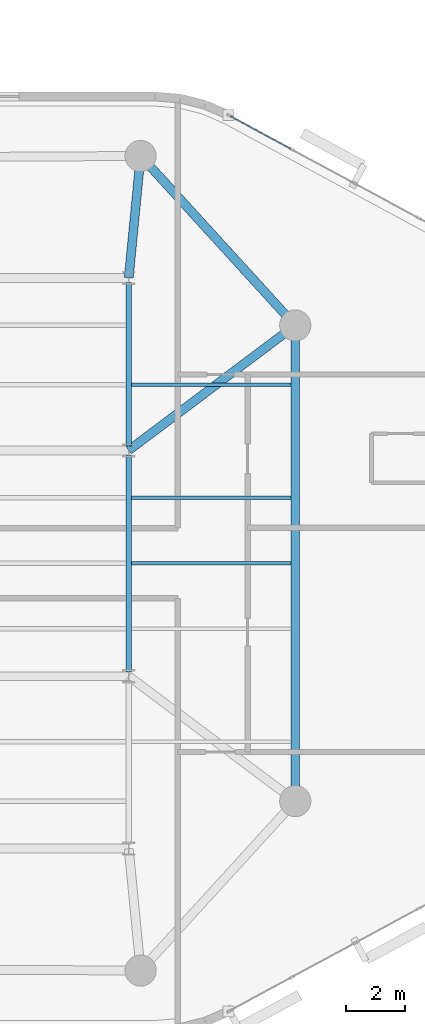
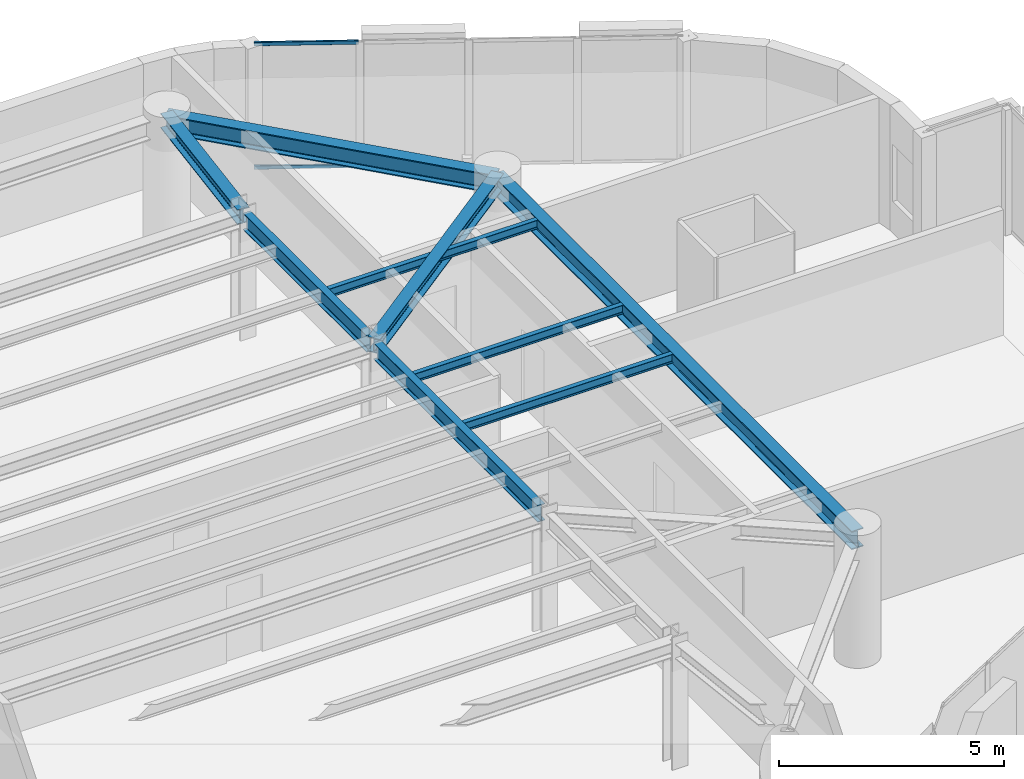
# One storey, part 5 of 14: 9 beams, 2 members, 1 element without a shape of its own.
"""IFC4 building model written with IfcOpenShell, lengths in metres."""

from ifc_helpers import new_model, si_unit, direction, frame, origin, origin_2d, place, context, subcontext, project, spatial, hollow_rectangle, i_section, extrude, material, layer, layer_set, material_profile, profile_set, type_object, element, aggregate, save


model = new_model("IFC4")

# Units and contexts
model_context = context("Model", 3, precision=1e-05, world=origin(), true_north=direction((0.0, 1.0)))
body_context = subcontext(model_context, "Body", "Model", "MODEL_VIEW")
ifc_project = project(units=[si_unit("LENGTHUNIT", "METRE"), si_unit("AREAUNIT", "SQUARE_METRE"), si_unit("VOLUMEUNIT", "CUBIC_METRE"), si_unit("PLANEANGLEUNIT", "RADIAN"), si_unit("MASSUNIT", "GRAM", prefix="KILO")], contexts=[model_context])

# Site, building, storey
site_placement = place(None, origin())
site = spatial("IfcSite", under=ifc_project, at=site_placement, CompositionType="ELEMENT")
building_placement = place(site_placement, origin())
building = spatial("IfcBuilding", under=site, at=building_placement, Name="An Khanh Terracotta Commons", CompositionType="ELEMENT")
storey_placement = place(building_placement, frame((0.0, 0.0, 230.10009765625)))
storey = spatial("IfcBuildingStorey", under=building, at=storey_placement, Name="L60", CompositionType="ELEMENT", Elevation=230.10009765625)

# Beams
ifc_material_1 = material(Name="Steel S355J2", Category="steel")
ifc_material_profile_1 = material_profile(ifc_material_1, i_section(OverallWidth=0.300048828125, OverallDepth=0.39990234375, WebThickness=0.013427734375, FlangeThickness=0.02392578125, FilletRadius=0.027099609375, at=origin_2d()), Name="HEB400")
ifc_profile_set_1 = profile_set([ifc_material_profile_1], Name="Steel S355J2")
beam_type_1 = type_object("IfcBeamType", Name="BM-HEB400", PredefinedType="BEAM", material=ifc_profile_set_1)
beam_1_placement = place(storey_placement, frame((59.60009765625, 32.0, 3.199951171875), z_axis=(-0.800008370399, -0.599988839305, 0.0), x_axis=(0.599988839305, -0.800008370399, 0.0)))
element("IfcBeam", 1, at=beam_1_placement, inside=storey, type_object=beam_type_1, Name="L60 Mega-Column Tie Girder 4", PredefinedType="BEAM", context=body_context, shape_type="SweptSolid", body=[
    extrude(i_section(OverallWidth=0.300048828125, OverallDepth=0.39990234375, WebThickness=0.013427734375, FlangeThickness=0.02392578125, FilletRadius=0.027099609375, at=origin_2d()), origin(), (0.0, 0.0, 1.0), 7.0),
])
beam_2_placement = place(storey_placement, frame((54.39990234375, 37.699951171875, 3.199951171875), z_axis=(-0.097079917443, -0.995276589511, 0.0), x_axis=(0.995276589511, -0.097079917443, 0.0)))
element("IfcBeam", 2, at=beam_2_placement, inside=storey, type_object=beam_type_1, Name="L60 Mega-Column Tie Girder 5", PredefinedType="BEAM", context=body_context, shape_type="SweptSolid", body=[
    extrude(i_section(OverallWidth=0.300048828125, OverallDepth=0.39990234375, WebThickness=0.013427734375, FlangeThickness=0.02392578125, FilletRadius=0.027099609375, at=origin_2d()), origin(), (0.0, 0.0, 1.0), 4.119384765625),
])
ifc_material_profile_2 = material_profile(ifc_material_1, i_section(OverallWidth=0.300048828125, OverallDepth=0.5, WebThickness=0.014404296875, FlangeThickness=0.028076171875, FilletRadius=0.027099609375, at=origin_2d()), Name="HEB500")
ifc_profile_set_2 = profile_set([ifc_material_profile_2], Name="Steel S355J2")
beam_type_2 = type_object("IfcBeamType", Name="BM-HEB500", PredefinedType="BEAM", material=ifc_profile_set_2)
beam_3_placement = place(storey_placement, frame((59.60009765625, 16.0, 3.14990234375), z_axis=(0.0, 1.0, 0.0), x_axis=(-1.0, 0.0, 0.0)))
element("IfcBeam", 3, at=beam_3_placement, inside=storey, type_object=beam_type_2, Name="L60 Perimeter Ring Spandrel 3", PredefinedType="BEAM", context=body_context, shape_type="SweptSolid", body=[
    extrude(i_section(OverallWidth=0.300048828125, OverallDepth=0.5, WebThickness=0.014404296875, FlangeThickness=0.028076171875, FilletRadius=0.027099609375, at=origin_2d()), origin(), (0.0, 0.0, 1.0), 16.0),
])
beam_4_placement = place(storey_placement, frame((59.60009765625, 32.0, 3.14990234375), z_axis=(-0.673978953902, 0.738750546326, 0.0), x_axis=(-0.738750546326, -0.673978953902, 0.0)))
element("IfcBeam", 4, at=beam_4_placement, inside=storey, type_object=beam_type_2, Name="L60 Perimeter Ring Spandrel 4", PredefinedType="BEAM", context=body_context, shape_type="SweptSolid", body=[
    extrude(i_section(OverallWidth=0.300048828125, OverallDepth=0.5, WebThickness=0.014404296875, FlangeThickness=0.028076171875, FilletRadius=0.027099609375, at=origin_2d()), origin(), (0.0, 0.0, 1.0), 7.715576171875),
])
ifc_material_profile_3 = material_profile(ifc_material_1, i_section(OverallWidth=0.1201171875, OverallDepth=0.239990234375, WebThickness=0.006103515625, FlangeThickness=0.009765625, FilletRadius=0.014892578125, at=origin_2d()), Name="IPE240")
ifc_profile_set_3 = profile_set([ifc_material_profile_3], Name="Steel S355J2")
beam_type_3 = type_object("IfcBeamType", Name="BM-IPE240", PredefinedType="JOIST", material=ifc_profile_set_3)
for number, where, z_axis, x_axis, name in (
    (5, (54.094970703125, 24.0, 3.27978515625), (1.0, 0.0, 0.0), (0.0, 1.0, 0.0), "L60 Riverfront Composite Joist 4"),
    (6, (54.094970703125, 26.199951171875, 3.27978515625), (1.0, 0.0, 0.0), (0.0, 1.0, 0.0), "L60 Riverfront Composite Joist 5"),
    (7, (54.094970703125, 30.0, 3.27978515625), (1.0, 0.0, 0.0), (0.0, 1.0, 0.0), "L60 Riverfront Composite Joist 6"),
):
    element("IfcBeam", number, at=place(storey_placement, frame(where, z_axis=z_axis, x_axis=x_axis)), inside=storey, type_object=beam_type_3, Name=name, PredefinedType="JOIST", context=body_context, shape_type="SweptSolid", body=[
        extrude(i_section(OverallWidth=0.1201171875, OverallDepth=0.239990234375, WebThickness=0.006103515625, FlangeThickness=0.009765625, FilletRadius=0.014892578125, at=origin_2d()), origin(), (0.0, 0.0, 1.0), 5.35498046875),
    ])
ifc_material_profile_4 = material_profile(ifc_material_1, i_section(OverallWidth=0.18994140625, OverallDepth=0.449951171875, WebThickness=0.009521484375, FlangeThickness=0.0146484375, FilletRadius=0.02099609375, at=origin_2d()), Name="IPE450")
ifc_profile_set_4 = profile_set([ifc_material_profile_4], Name="Steel S355J2")
beam_type_4 = type_object("IfcBeamType", Name="BM-IPE450", PredefinedType="JOIST", material=ifc_profile_set_4)
beam_5_placement = place(storey_placement, frame((54.0, 20.35009765625, 3.1748046875), z_axis=(0.0, 1.0, 0.0), x_axis=(-1.0, 0.0, 0.0)))
element("IfcBeam", 8, at=beam_5_placement, inside=storey, type_object=beam_type_4, Name="L60 East Spine Girder 2", PredefinedType="JOIST", context=body_context, shape_type="SweptSolid", body=[
    extrude(i_section(OverallWidth=0.18994140625, OverallDepth=0.449951171875, WebThickness=0.009521484375, FlangeThickness=0.0146484375, FilletRadius=0.02099609375, at=origin_2d()), origin(), (0.0, 0.0, 1.0), 7.2998046875),
])
beam_6_placement = place(storey_placement, frame((54.0, 27.949951171875, 3.1748046875), z_axis=(0.0, 1.0, 0.0), x_axis=(-1.0, 0.0, 0.0)))
element("IfcBeam", 9, at=beam_6_placement, inside=storey, type_object=beam_type_4, Name="L60 East Spine Girder 3", PredefinedType="JOIST", context=body_context, shape_type="SweptSolid", body=[
    extrude(i_section(OverallWidth=0.18994140625, OverallDepth=0.449951171875, WebThickness=0.009521484375, FlangeThickness=0.0146484375, FilletRadius=0.02099609375, at=origin_2d()), origin(), (0.0, 0.0, 1.0), 5.5),
])

# Curtain wall, members
ifc_material_2 = material(Name="Anodised Aluminium 6063-T6", Category="aluminium")
ifc_layer = layer(ifc_material_2, 0.2099609375, Name="Anodised Aluminium 6063-T6")
ifc_layer_set = layer_set([ifc_layer], Name="Anodised Aluminium 6063-T6")
curtain_wall_type = type_object("IfcCurtainWallType", Name="CW-SYS-03", PredefinedType="USERDEFINED", material=ifc_layer_set)
curtain_wall_placement = place(storey_placement, origin())
curtain_wall = element("IfcCurtainWall", 10, at=curtain_wall_placement, inside=storey, type_object=curtain_wall_type, Name="L60 CW-03 Unitised Curtain Wall CW-L60-16", ObjectType="UNITISED CURTAIN WALL", PredefinedType="USERDEFINED")
ifc_material_profile_5 = material_profile(ifc_material_2, hollow_rectangle(XDim=0.050048828125, YDim=0.10009765625, WallThickness=0.003173828125, InnerFilletRadius=0.003173828125, OuterFilletRadius=0.00634765625, at=origin_2d()), Name="RHS100x50x3.2")
ifc_profile_set_5 = profile_set([ifc_material_profile_5], Name="Anodised Aluminium 6063-T6")
member_type = type_object("IfcMemberType", Name="CWT-RHS100x50x3.2", PredefinedType="USERDEFINED", material=ifc_profile_set_5)
member_1_placement = place(storey_placement, frame((59.455078125, 37.94140625, 0.02490234375), z_axis=(-0.879779245677, 0.475382455373, 0.0), x_axis=(-0.475382455373, -0.879779245677, 0.0)))
member_1 = element("IfcMember", 11, at=member_1_placement, type_object=member_type, Name="CW-03 transom 4.1", ObjectType="TRANSOM", PredefinedType="USERDEFINED", context=body_context, shape_type="SweptSolid", body=[
    extrude(hollow_rectangle(XDim=0.050048828125, YDim=0.10009765625, WallThickness=0.003173828125, InnerFilletRadius=0.003173828125, OuterFilletRadius=0.00634765625, at=origin_2d()), origin(), (0.0, 0.0, 1.0), 2.314697265625),
])
member_2_placement = place(storey_placement, frame((59.455078125, 37.94140625, 3.375), z_axis=(-0.879779245677, 0.475382455373, 0.0), x_axis=(-0.475382455373, -0.879779245677, 0.0)))
member_2 = element("IfcMember", 12, at=member_2_placement, type_object=member_type, Name="CW-03 transom 4.2", ObjectType="TRANSOM", PredefinedType="USERDEFINED", context=body_context, shape_type="SweptSolid", body=[
    extrude(hollow_rectangle(XDim=0.050048828125, YDim=0.10009765625, WallThickness=0.003173828125, InnerFilletRadius=0.003173828125, OuterFilletRadius=0.00634765625, at=origin_2d()), origin(), (0.0, 0.0, 1.0), 2.314697265625),
])
aggregate(curtain_wall, [member_1, member_2])

save(model, "model.ifc")
